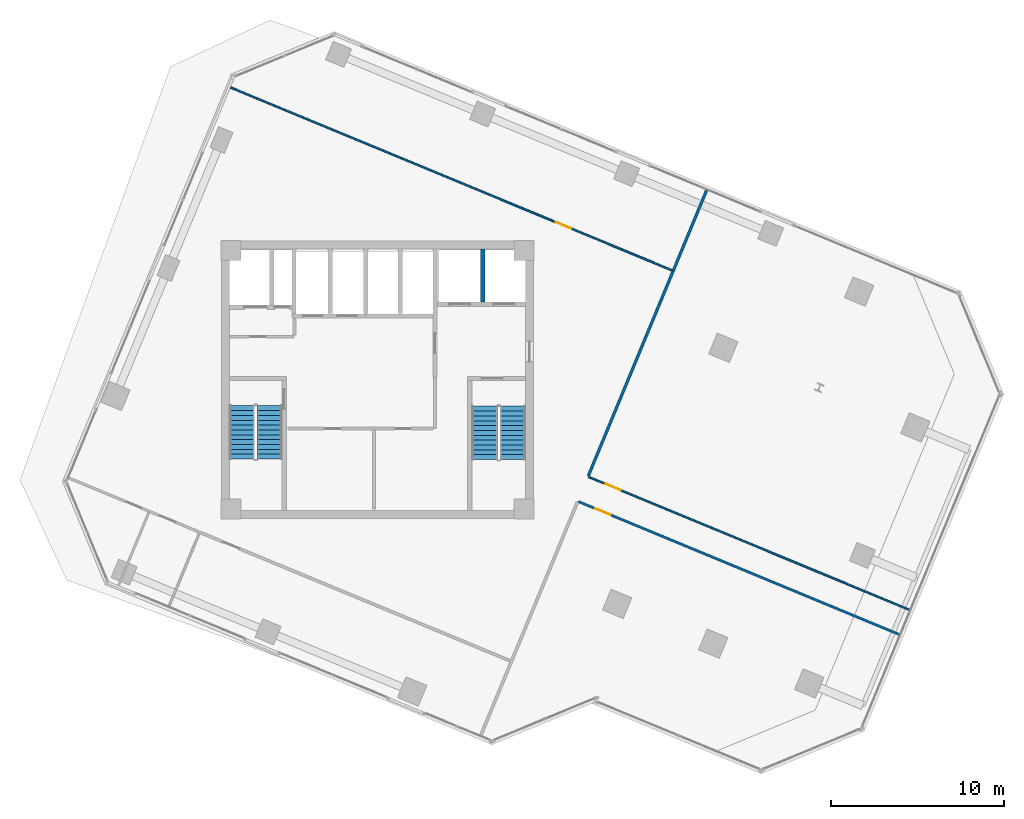
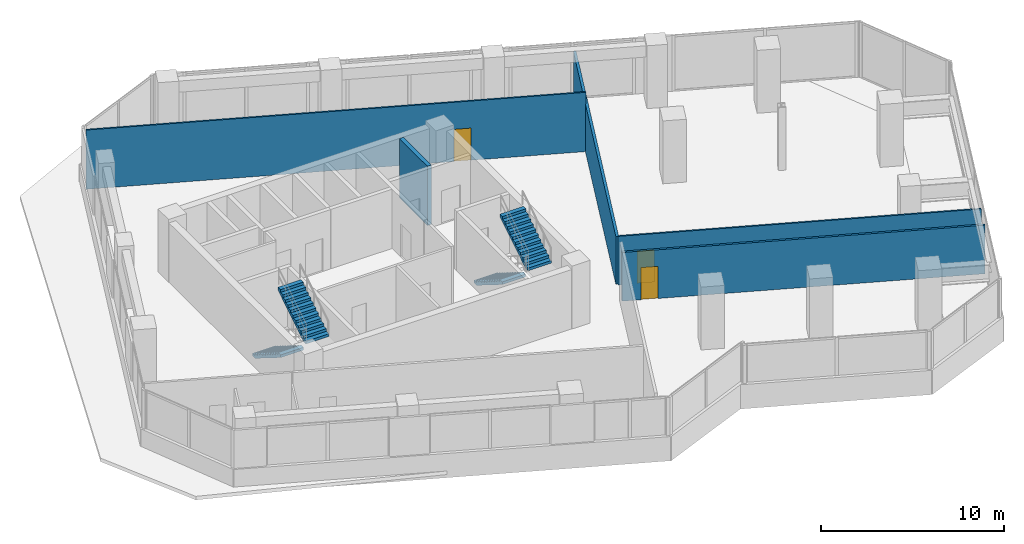
# One storey, part 20 of 24: 5 walls, 4 stair flights, 3 doors, 3 openings, 2 elements without a shape of their own.
"""IFC4 building model written with IfcOpenShell, lengths in metres."""

from ifc_helpers import new_model, si_unit, direction, frame, frame_2d, origin, place, context, subcontext, project, spatial, polyline, rectangle, outline, extrude, source, transform, mapped, material, layer, layer_set, type_object, element, fill, aggregate, save


model = new_model("IFC4")

# Units and contexts
model_context = context("Model", 3, precision=1e-05, world=origin(), true_north=direction((0.0, 1.0)))
body_context = subcontext(model_context, "Body", "Model", "MODEL_VIEW")
ifc_project = project(units=[si_unit("LENGTHUNIT", "METRE"), si_unit("AREAUNIT", "SQUARE_METRE"), si_unit("VOLUMEUNIT", "CUBIC_METRE"), si_unit("PLANEANGLEUNIT", "RADIAN"), si_unit("MASSUNIT", "GRAM", prefix="KILO")], contexts=[model_context])

# Site, building, storey
site_placement = place(None, origin())
site = spatial("IfcSite", under=ifc_project, at=site_placement, CompositionType="ELEMENT")
building_placement = place(site_placement, origin())
building = spatial("IfcBuilding", under=site, at=building_placement, Name="Torre Montelarca", CompositionType="ELEMENT")
storey_placement = place(building_placement, frame((0.0, 0.0, 141.39990234375)))
storey = spatial("IfcBuildingStorey", under=building, at=storey_placement, Name="L31", CompositionType="ELEMENT", Elevation=141.39990234375)

# Walls
ifc_material_1 = material(Name="Concrete C40/50", Category="concrete")
ifc_layer_1 = layer(ifc_material_1, 0.25, Name="Concrete C40/50", Category="concrete")
ifc_layer_set_1 = layer_set([ifc_layer_1], Name="Concrete C40/50")
wall_type_1 = type_object("IfcWallType", Name="CW-SHAFT-250", PredefinedType="SHEAR", material=ifc_layer_set_1)
wall_1_placement = place(storey_placement, frame((24.080078125, 36.47998046875, 0.0), z_axis=(0.0, 0.0, 1.0), x_axis=(0.0, 1.0, 0.0)))
element("IfcWall", 1, at=wall_1_placement, inside=storey, type_object=wall_type_1, Name="L31 Core Shear Wall SH-FF-M", PredefinedType="SHEAR", context=body_context, shape_type="SweptSolid", body=[
    extrude(rectangle(XDim=3.06005859375, YDim=0.25, at=frame_2d((1.530029296875, 0.0))), origin(), (0.0, 0.0, 1.0), 3.960205078125),
])
ifc_material_2 = material(Name="Gypsum plasterboard on steel stud", Category="steel")
ifc_layer_2 = layer(ifc_material_2, 0.159912109375, Name="Gypsum plasterboard on steel stud", Category="steel")
ifc_layer_set_2 = layer_set([ifc_layer_2], Name="Gypsum plasterboard on steel stud")
wall_type_2 = type_object("IfcWallType", Name="PW-FIRE-160", PredefinedType="PARTITIONING", material=ifc_layer_set_2)
wall_2_placement = place(storey_placement, frame((30.162353515625, 26.44189453125, 0.0), z_axis=(0.0, 0.0, 1.0), x_axis=(0.382688600046, 0.923877391971, 0.0)))
element("IfcWall", 2, at=wall_2_placement, inside=storey, type_object=wall_type_2, Name="L31 Interior Partition W-L31-ECN", PredefinedType="PARTITIONING", context=body_context, shape_type="SweptSolid", body=[
    extrude(rectangle(XDim=17.83984375, YDim=0.159912109375, at=frame_2d((8.919921875, 0.0))), origin(), (0.0, 0.0, 1.0), 3.195068359375),
])

# Wall, opening, door
ifc_material_3 = material(Name="Acoustic laminated glass partition", Category="glass")
ifc_layer_3 = layer(ifc_material_3, 0.10009765625, Name="Acoustic laminated glass partition", Category="glass")
ifc_layer_set_3 = layer_set([ifc_layer_3], Name="Acoustic laminated glass partition")
wall_type_3 = type_object("IfcWallType", Name="PW-GLAZ-100", PredefinedType="PARTITIONING", material=ifc_layer_set_3)
wall_3_placement = place(storey_placement, frame((9.523193359375, 48.8671875, 0.0), z_axis=(0.0, 0.0, 1.0), x_axis=(0.923882225555, -0.382676930718, 0.0)))
wall_3 = element("IfcWall", 3, at=wall_3_placement, inside=storey, type_object=wall_type_3, Name="L31 Interior Partition W-L31-NBOT", PredefinedType="PARTITIONING", context=body_context, shape_type="SweptSolid", body=[
    extrude(rectangle(XDim=27.60986328125, YDim=0.10009765625, at=frame_2d((13.804931640625, 0.0))), origin(), (0.0, 0.0, 1.0), 3.960205078125),
])
opening_1_placement = place(wall_3_placement, frame((20.31005859375, 0.0, 0.0)))
opening_1 = element("IfcOpeningElement", 4, at=opening_1_placement, cuts=wall_3, Name="Opening ID-095", PredefinedType="OPENING", context=body_context, shape_type="SweptSolid", body=[
    extrude(rectangle(XDim=0.949951171875, YDim=2.14990234375, at=frame_2d((0.47509765625, 1.074951171875))), frame((0.0, 0.06005859375, 0.0), z_axis=(0.0, -1.0, 0.0), x_axis=(1.0, 0.0, 0.0)), (0.0, 0.0, 1.0), 0.1201171875),
])
ifc_material_4 = material(Name="Hardwood acoustic timber veneer", Category="wood")
door_type = type_object("IfcDoorType", Name="DR-INT-095", OperationType="NOTDEFINED", PredefinedType="DOOR", material=ifc_material_4)
shared_shape = source(origin(), body_context, "Body", "SweptSolid", [
    extrude(rectangle(XDim=0.949951171875, YDim=2.14990234375, at=frame_2d((0.47509765625, 1.074951171875))), frame((0.0, 0.02490234375, 0.0), z_axis=(0.0, -1.0, 0.0), x_axis=(1.0, 0.0, 0.0)), (0.0, 0.0, 1.0), 0.050048828125),
])
door_1_placement = place(opening_1_placement, origin())
door_1 = element("IfcDoor", 5, at=door_1_placement, inside=storey, type_object=door_type, Name="L31 Interior Door 07", OperationType="SINGLE_SWING_LEFT", OverallHeight=2.14990234375, OverallWidth=0.949951171875, PredefinedType="DOOR", context=body_context, shape_type="MappedRepresentation", body=[
    mapped(shared_shape, transform((0.0, 0.0, 0.0), scale=1.0)),
])
fill(opening_1, door_1)

wall_4_placement = place(storey_placement, frame((30.18408203125, 26.3896484375, 0.0), z_axis=(0.0, 0.0, 1.0), x_axis=(0.923877920754, -0.382687323468, 0.0)))
wall_4 = element("IfcWall", 6, at=wall_4_placement, inside=storey, type_object=wall_type_3, Name="L31 Interior Partition W-L31-NE-S", PredefinedType="PARTITIONING", context=body_context, shape_type="SweptSolid", body=[
    extrude(rectangle(XDim=20.0498046875, YDim=0.10009765625, at=frame_2d((10.02490234375, 0.0))), origin(), (0.0, 0.0, 1.0), 3.252685546875),
])
opening_2_placement = place(wall_4_placement, frame((1.050048828125, 0.0, 0.0)))
opening_2 = element("IfcOpeningElement", 7, at=opening_2_placement, cuts=wall_4, Name="Opening ID-095", PredefinedType="OPENING", context=body_context, shape_type="SweptSolid", body=[
    extrude(rectangle(XDim=0.949951171875, YDim=2.14990234375, at=frame_2d((0.47509765625, 1.074951171875))), frame((0.0, 0.06005859375, 0.0), z_axis=(0.0, -1.0, 0.0), x_axis=(1.0, 0.0, 0.0)), (0.0, 0.0, 1.0), 0.1201171875),
])
door_2_placement = place(opening_2_placement, origin())
door_2 = element("IfcDoor", 8, at=door_2_placement, inside=storey, type_object=door_type, Name="L31 Interior Door 08", OperationType="SINGLE_SWING_LEFT", OverallHeight=2.14990234375, OverallWidth=0.949951171875, PredefinedType="DOOR", context=body_context, shape_type="MappedRepresentation", body=[
    mapped(shared_shape, transform((0.0, 0.0, 0.0), scale=1.0)),
])
fill(opening_2, door_2)

ifc_layer_4 = layer(ifc_material_2, 0.135009765625, Name="Gypsum plasterboard on steel stud", Category="steel")
ifc_layer_set_4 = layer_set([ifc_layer_4], Name="Gypsum plasterboard on steel stud")
wall_type_4 = type_object("IfcWallType", Name="PW-PART-135", PredefinedType="PARTITIONING", material=ifc_layer_set_4)
wall_5_placement = place(storey_placement, frame((29.5947265625, 24.966796875, 0.0), z_axis=(0.0, 0.0, 1.0), x_axis=(0.923882225843, -0.382676930022, 0.0)))
wall_5 = element("IfcWall", 9, at=wall_5_placement, inside=storey, type_object=wall_type_4, Name="L31 Interior Partition W-L31-SE-N", PredefinedType="PARTITIONING", context=body_context, shape_type="SweptSolid", body=[
    extrude(rectangle(XDim=20.0498046875, YDim=0.135009765625, at=frame_2d((10.02490234375, 0.0))), origin(), (0.0, 0.0, 1.0), 3.252685546875),
])
opening_3_placement = place(wall_5_placement, frame((1.050048828125, 0.0, 0.0)))
opening_3 = element("IfcOpeningElement", 10, at=opening_3_placement, cuts=wall_5, Name="Opening ID-095", PredefinedType="OPENING", context=body_context, shape_type="SweptSolid", body=[
    extrude(rectangle(XDim=0.949951171875, YDim=2.14990234375, at=frame_2d((0.47509765625, 1.074951171875))), frame((0.0, 0.07763671875, 0.0), z_axis=(0.0, -1.0, 0.0), x_axis=(1.0, 0.0, 0.0)), (0.0, 0.0, 1.0), 0.155029296875),
])
door_3_placement = place(opening_3_placement, origin())
door_3 = element("IfcDoor", 11, at=door_3_placement, inside=storey, type_object=door_type, Name="L31 Interior Door 09", OperationType="SINGLE_SWING_LEFT", OverallHeight=2.14990234375, OverallWidth=0.949951171875, PredefinedType="DOOR", context=body_context, shape_type="MappedRepresentation", body=[
    mapped(shared_shape, transform((0.0, 0.0, 0.0), scale=1.0)),
])
fill(opening_3, door_3)

# Stair, stair flights
stair_type_1 = type_object("IfcStairType", Name="ST-CORE-ST1", PredefinedType="HALF_TURN_STAIR", material=ifc_material_1)
stair_1_placement = place(storey_placement, origin())
stair_1 = element("IfcStair", 12, at=stair_1_placement, inside=storey, type_object=stair_type_1, Name="L31 Protected Exit Stair ST1", PredefinedType="HALF_TURN_STAIR")
stair_flight_type_1 = type_object("IfcStairFlightType", Name="SFL-CORE-ST1", PredefinedType="STRAIGHT", material=ifc_material_1)
stair_flight_1_placement = place(storey_placement, frame((10.175048828125, 30.5, 0.0), z_axis=(0.0, 0.0, 1.0), x_axis=(0.0, -1.0, 0.0)))
stair_flight_1 = element("IfcStairFlight", 13, at=stair_flight_1_placement, type_object=stair_flight_type_1, Name="ST1 flight 1", NumberOfRisers=12, NumberOfTreads=11, PredefinedType="STRAIGHT", RiserHeight=0.175, TreadLength=0.28, context=body_context, shape_type="SweptSolid", body=[
    extrude(outline(polyline([(0.0, 0.0), (0.0, 0.175048828125), (0.280029296875, 0.175048828125), (0.280029296875, 0.35009765625), (0.56005859375, 0.35009765625), (0.56005859375, 0.52490234375), (0.840087890625, 0.52490234375), (0.840087890625, 0.699951171875), (1.1201171875, 0.699951171875), (1.1201171875, 0.875), (1.39990234375, 0.875), (1.39990234375, 1.050048828125), (1.679931640625, 1.050048828125), (1.679931640625, 1.22509765625), (1.9599609375, 1.22509765625), (1.9599609375, 1.39990234375), (2.239990234375, 1.39990234375), (2.239990234375, 1.574951171875), (2.52001953125, 1.574951171875), (2.52001953125, 1.75), (2.800048828125, 1.75), (2.800048828125, 1.925048828125), (3.080078125, 1.925048828125), (3.080078125, 2.10009765625), (3.080078125, 1.748291015625), (0.28271484375, 0.0), (0.0, 0.0)])), frame((0.0, 0.72509765625, 0.0), z_axis=(0.0, -1.0, 0.0), x_axis=(1.0, 0.0, 0.0)), (0.0, 0.0, 1.0), 1.449951171875),
])
stair_flight_2_placement = place(storey_placement, frame((11.77490234375, 27.419921875, 2.10009765625), z_axis=(0.0, 0.0, 1.0), x_axis=(0.0, 1.0, 0.0)))
stair_flight_2 = element("IfcStairFlight", 14, at=stair_flight_2_placement, type_object=stair_flight_type_1, Name="ST1 flight 2", NumberOfRisers=12, NumberOfTreads=11, PredefinedType="STRAIGHT", RiserHeight=0.175, TreadLength=0.28, context=body_context, shape_type="SweptSolid", body=[
    extrude(outline(polyline([(0.0, 0.0), (0.0, 0.175048828125), (0.280029296875, 0.175048828125), (0.280029296875, 0.35009765625), (0.56005859375, 0.35009765625), (0.56005859375, 0.52490234375), (0.840087890625, 0.52490234375), (0.840087890625, 0.699951171875), (1.1201171875, 0.699951171875), (1.1201171875, 0.875), (1.39990234375, 0.875), (1.39990234375, 1.050048828125), (1.679931640625, 1.050048828125), (1.679931640625, 1.22509765625), (1.9599609375, 1.22509765625), (1.9599609375, 1.39990234375), (2.239990234375, 1.39990234375), (2.239990234375, 1.574951171875), (2.52001953125, 1.574951171875), (2.52001953125, 1.75), (2.800048828125, 1.75), (2.800048828125, 1.925048828125), (3.080078125, 1.925048828125), (3.080078125, 2.10009765625), (3.080078125, 1.748291015625), (0.28271484375, 0.0), (0.0, 0.0)])), frame((0.0, 0.72509765625, 0.0), z_axis=(0.0, -1.0, 0.0), x_axis=(1.0, 0.0, 0.0)), (0.0, 0.0, 1.0), 1.449951171875),
])
aggregate(stair_1, [stair_flight_1, stair_flight_2])

stair_type_2 = type_object("IfcStairType", Name="ST-CORE-ST2", PredefinedType="HALF_TURN_STAIR", material=ifc_material_1)
stair_2_placement = place(storey_placement, origin())
stair_2 = element("IfcStair", 15, at=stair_2_placement, inside=storey, type_object=stair_type_2, Name="L31 Protected Exit Stair ST2", PredefinedType="HALF_TURN_STAIR")
stair_flight_type_2 = type_object("IfcStairFlightType", Name="SFL-CORE-ST2", PredefinedType="STRAIGHT", material=ifc_material_1)
stair_flight_3_placement = place(storey_placement, frame((24.179931640625, 30.469970703125, 0.0), z_axis=(0.0, 0.0, 1.0), x_axis=(0.0, -1.0, 0.0)))
stair_flight_3 = element("IfcStairFlight", 16, at=stair_flight_3_placement, type_object=stair_flight_type_2, Name="ST2 flight 1", NumberOfRisers=12, NumberOfTreads=11, PredefinedType="STRAIGHT", RiserHeight=0.175, TreadLength=0.28, context=body_context, shape_type="SweptSolid", body=[
    extrude(outline(polyline([(0.0, 0.0), (0.0, 0.175048828125), (0.280029296875, 0.175048828125), (0.280029296875, 0.35009765625), (0.56005859375, 0.35009765625), (0.56005859375, 0.52490234375), (0.840087890625, 0.52490234375), (0.840087890625, 0.699951171875), (1.1201171875, 0.699951171875), (1.1201171875, 0.875), (1.39990234375, 0.875), (1.39990234375, 1.050048828125), (1.679931640625, 1.050048828125), (1.679931640625, 1.22509765625), (1.9599609375, 1.22509765625), (1.9599609375, 1.39990234375), (2.239990234375, 1.39990234375), (2.239990234375, 1.574951171875), (2.52001953125, 1.574951171875), (2.52001953125, 1.75), (2.800048828125, 1.75), (2.800048828125, 1.925048828125), (3.080078125, 1.925048828125), (3.080078125, 2.10009765625), (3.080078125, 1.748291015625), (0.28271484375, 0.0), (0.0, 0.0)])), frame((0.0, 0.739990234375, 0.0), z_axis=(0.0, -1.0, 0.0), x_axis=(1.0, 0.0, 0.0)), (0.0, 0.0, 1.0), 1.47998046875),
])
stair_flight_4_placement = place(storey_placement, frame((25.81005859375, 27.389892578125, 2.10009765625), z_axis=(0.0, 0.0, 1.0), x_axis=(0.0, 1.0, 0.0)))
stair_flight_4 = element("IfcStairFlight", 17, at=stair_flight_4_placement, type_object=stair_flight_type_2, Name="ST2 flight 2", NumberOfRisers=12, NumberOfTreads=11, PredefinedType="STRAIGHT", RiserHeight=0.175, TreadLength=0.28, context=body_context, shape_type="SweptSolid", body=[
    extrude(outline(polyline([(0.0, 0.0), (0.0, 0.175048828125), (0.280029296875, 0.175048828125), (0.280029296875, 0.35009765625), (0.56005859375, 0.35009765625), (0.56005859375, 0.52490234375), (0.840087890625, 0.52490234375), (0.840087890625, 0.699951171875), (1.1201171875, 0.699951171875), (1.1201171875, 0.875), (1.39990234375, 0.875), (1.39990234375, 1.050048828125), (1.679931640625, 1.050048828125), (1.679931640625, 1.22509765625), (1.9599609375, 1.22509765625), (1.9599609375, 1.39990234375), (2.239990234375, 1.39990234375), (2.239990234375, 1.574951171875), (2.52001953125, 1.574951171875), (2.52001953125, 1.75), (2.800048828125, 1.75), (2.800048828125, 1.925048828125), (3.080078125, 1.925048828125), (3.080078125, 2.10009765625), (3.080078125, 1.748291015625), (0.28271484375, 0.0), (0.0, 0.0)])), frame((0.0, 0.739990234375, 0.0), z_axis=(0.0, -1.0, 0.0), x_axis=(1.0, 0.0, 0.0)), (0.0, 0.0, 1.0), 1.47998046875),
])
aggregate(stair_2, [stair_flight_3, stair_flight_4])

save(model, "model.ifc")
